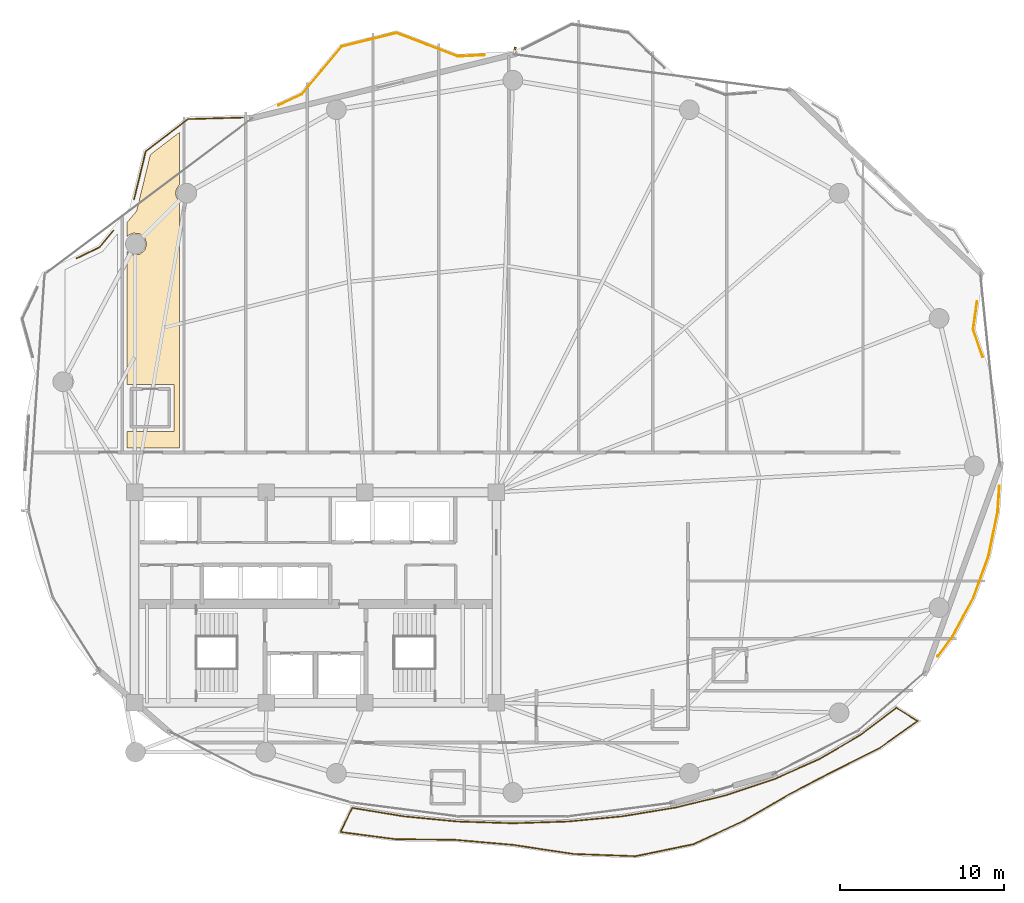
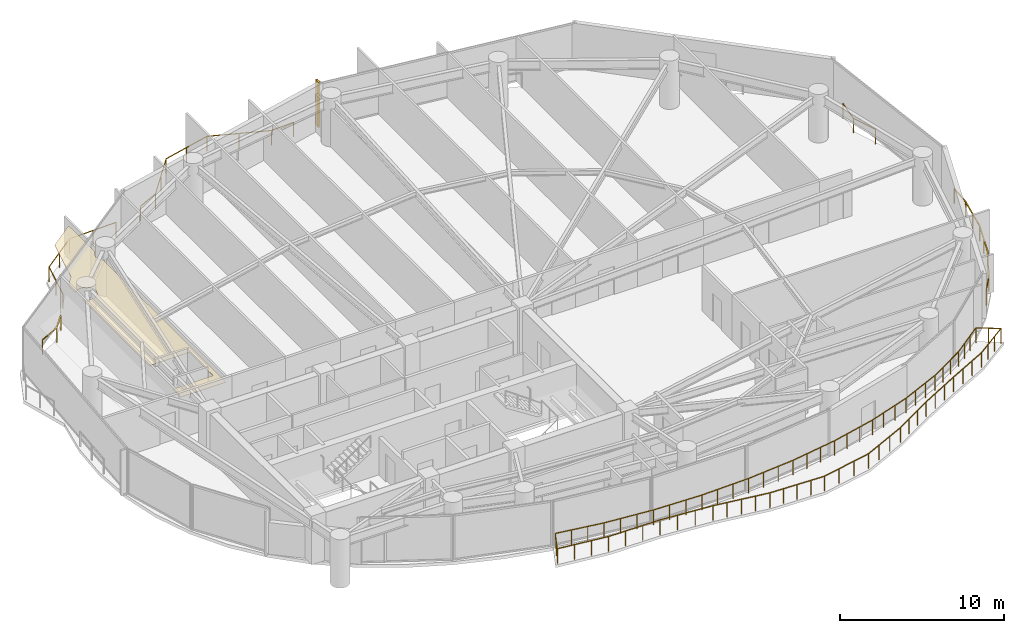
# One storey, part 30 of 31: 6 railings, 1 covering, 1 shading device.
"""IFC4 building model written with IfcOpenShell, lengths in metres."""

from ifc_helpers import new_model, si_unit, direction, frame, origin, origin_2d, place, context, subcontext, project, spatial, polyline, rectangle, outline, extrude, material, layer, layer_set, type_object, element, save


model = new_model("IFC4")

# Units and contexts
model_context = context("Model", 3, precision=1e-05, world=origin(), true_north=direction((0.0, 1.0)))
body_context = subcontext(model_context, "Body", "Model", "MODEL_VIEW")
ifc_project = project(units=[si_unit("LENGTHUNIT", "METRE"), si_unit("AREAUNIT", "SQUARE_METRE"), si_unit("VOLUMEUNIT", "CUBIC_METRE"), si_unit("PLANEANGLEUNIT", "RADIAN"), si_unit("MASSUNIT", "GRAM", prefix="KILO")], contexts=[model_context])

# Site, building, storey
site_placement = place(None, origin())
site = spatial("IfcSite", under=ifc_project, at=site_placement, CompositionType="ELEMENT")
building_placement = place(site_placement, origin())
building = spatial("IfcBuilding", under=site, at=building_placement, Name="Kazevale Care Tower and Concert Hall", CompositionType="ELEMENT")
storey_placement = place(building_placement, frame((0.0, 0.0, 124.199951171875)))
storey = spatial("IfcBuildingStorey", under=building, at=storey_placement, Name="L32", CompositionType="ELEMENT", Elevation=124.199951171875)

# Covering
ifc_material_1 = material(Name="Acoustic Plaster and Hinoki Wood", Category="wood")
ifc_layer = layer(ifc_material_1, 0.0400390625)
ifc_layer_set = layer_set([ifc_layer], Name="Acoustic Plaster and Hinoki Wood")
covering_type = type_object("IfcCoveringType", Name="Acoustic Perforated Wood-Gypsum Ceiling", PredefinedType="CEILING", material=ifc_layer_set)
covering_placement = place(storey_placement, frame((0.0, 0.0, 2.7099609375)))
element("IfcCovering", 1, at=covering_placement, inside=storey, type_object=covering_type, Name="clg:L32:2", PredefinedType="CEILING", context=body_context, shape_type="SweptSolid", body=[
    extrude(outline(polyline([(24.3798828125, 42.955078125), (21.530029296875, 42.955078125), (21.530029296875, 51.056884765625), (21.672119140625, 50.925048828125), (21.9169921875, 50.822998046875), (22.31005859375, 50.862060546875), (22.614990234375, 51.112060546875), (22.72998046875, 51.489990234375), (22.614990234375, 51.867919921875), (22.31005859375, 52.117919921875), (21.9169921875, 52.156982421875), (21.672119140625, 52.054931640625), (21.530029296875, 51.923095703125), (21.530029296875, 52.7919921875), (22.123046875, 53.4990234375), (22.9580078125, 56.930908203125), (24.719970703125, 58.278076171875), (24.719970703125, 55.0859375), (24.5419921875, 54.840087890625), (24.489990234375, 54.580078125), (24.5419921875, 54.320068359375), (24.719970703125, 54.073974609375), (24.719970703125, 39.10498046875), (21.530029296875, 39.10498046875), (21.530029296875, 40.094970703125), (24.3798828125, 40.094970703125), (24.3798828125, 42.955078125)])), origin(), (0.0, 0.0, 1.0), 0.0400390625),
])

# Railings
ifc_material_2 = material(Name="Anodised Bronze Aluminium and Laminated Glass", Category="aluminium")
railing_type = type_object("IfcRailingType", Name="Balcony and Terrace Balustrade 1120", PredefinedType="BALUSTRADE", material=ifc_material_2)
railing_1_placement = place(storey_placement, frame((18.4599609375, 50.62109375, 0.0)))
element("IfcRailing", 2, at=railing_1_placement, inside=storey, type_object=railing_type, Name="rail:L32:perim:3", PredefinedType="BALUSTRADE", context=body_context, shape_type="SweptSolid", body=[
    extrude(rectangle(XDim=0.048095703125, YDim=0.048095703125, at=origin_2d()), frame((0.0, 0.0, 1.09619140625), z_axis=(0.900823701656, 0.434185051026, 0.0), x_axis=(-0.434185051026, 0.900823701656, 0.0)), (0.0, 0.0, 1.0), 1.5498046875),
    extrude(rectangle(XDim=0.048095703125, YDim=0.048095703125, at=origin_2d()), frame((1.39599609375, 0.6728515625, 1.09619140625), z_axis=(0.642605296256, 0.766197385289, 0.0), x_axis=(-0.766197385289, 0.642605296256, 0.0)), (0.0, 0.0, 1.0), 1.327392578125),
    extrude(rectangle(XDim=0.0419921875, YDim=0.0419921875, at=origin_2d()), origin(), (0.0, 0.0, 1.0), 1.072021484375),
    extrude(rectangle(XDim=0.0419921875, YDim=0.0419921875, at=origin_2d()), frame((1.39599609375, 0.6728515625, 0.0)), (0.0, 0.0, 1.0), 1.072021484375),
    extrude(rectangle(XDim=0.0419921875, YDim=0.0419921875, at=origin_2d()), frame((2.2490234375, 1.68994140625, 0.0)), (0.0, 0.0, 1.0), 1.072021484375),
])
railing_2_placement = place(storey_placement, frame((21.966064453125, 54.2060546875, 0.0)))
element("IfcRailing", 3, at=railing_2_placement, inside=storey, type_object=railing_type, Name="rail:L32:perim:4", PredefinedType="BALUSTRADE", context=body_context, shape_type="SweptSolid", body=[
    extrude(rectangle(XDim=0.048095703125, YDim=0.048095703125, at=origin_2d()), frame((0.0, 0.0, 1.09619140625), z_axis=(0.236337022334, 0.971671143893, 0.0), x_axis=(-0.971671143893, 0.236337022334, 0.0)), (0.0, 0.0, 1.0), 2.995849609375),
    extrude(rectangle(XDim=0.048095703125, YDim=0.048095703125, at=origin_2d()), frame((0.7080078125, 2.910888671875, 1.09619140625), z_axis=(0.794524333095, 0.607232314785, 0.0), x_axis=(-0.607232314785, 0.794524333095, 0.0)), (0.0, 0.0, 1.0), 3.245849609375),
    extrude(rectangle(XDim=0.048095703125, YDim=0.048095703125, at=origin_2d()), frame((3.286865234375, 4.8818359375, 1.09619140625), z_axis=(0.999602588936, 0.028189788803, 0.0), x_axis=(-0.028189788803, 0.999602588936, 0.0)), (0.0, 0.0, 1.0), 3.334228515625),
    extrude(rectangle(XDim=0.0419921875, YDim=0.0419921875, at=origin_2d()), origin(), (0.0, 0.0, 1.0), 1.072021484375),
    extrude(rectangle(XDim=0.0419921875, YDim=0.0419921875, at=origin_2d()), frame((0.35400390625, 1.45556640625, 0.0)), (0.0, 0.0, 1.0), 1.072021484375),
    extrude(rectangle(XDim=0.0419921875, YDim=0.0419921875, at=origin_2d()), frame((0.7080078125, 2.910888671875, 0.0)), (0.0, 0.0, 1.0), 1.072021484375),
    extrude(rectangle(XDim=0.0419921875, YDim=0.0419921875, at=origin_2d()), frame((1.99755859375, 3.896484375, 0.0)), (0.0, 0.0, 1.0), 1.072021484375),
    extrude(rectangle(XDim=0.0419921875, YDim=0.0419921875, at=origin_2d()), frame((3.286865234375, 4.8818359375, 0.0)), (0.0, 0.0, 1.0), 1.072021484375),
    extrude(rectangle(XDim=0.0419921875, YDim=0.0419921875, at=origin_2d()), frame((4.953369140625, 4.9287109375, 0.0)), (0.0, 0.0, 1.0), 1.072021484375),
    extrude(rectangle(XDim=0.0419921875, YDim=0.0419921875, at=origin_2d()), frame((6.619873046875, 4.975830078125, 0.0)), (0.0, 0.0, 1.0), 1.072021484375),
])
railing_3_placement = place(storey_placement, frame((30.740966796875, 59.927978515625, 0.0)))
element("IfcRailing", 4, at=railing_3_placement, inside=storey, type_object=railing_type, Name="rail:L32:perim:5", PredefinedType="BALUSTRADE", context=body_context, shape_type="SweptSolid", body=[
    extrude(rectangle(XDim=0.048095703125, YDim=0.048095703125, at=origin_2d()), frame((0.0, 0.0, 1.09619140625), z_axis=(0.905736116012, 0.423842055667, 0.0), x_axis=(-0.423842055667, 0.905736116012, 0.0)), (0.0, 0.0, 1.0), 1.564453125),
    extrude(rectangle(XDim=0.048095703125, YDim=0.048095703125, at=origin_2d()), frame((1.4169921875, 0.6630859375, 1.09619140625), z_axis=(0.641607523243, 0.767033106272, 0.0), x_axis=(-0.767033106272, 0.641607523243, 0.0)), (0.0, 0.0, 1.0), 3.793701171875),
    extrude(rectangle(XDim=0.048095703125, YDim=0.048095703125, at=origin_2d()), frame((3.85107421875, 3.572998046875, 1.09619140625), z_axis=(0.970923670016, 0.239389279214, 0.0), x_axis=(-0.239389279214, 0.970923670016, 0.0)), (0.0, 0.0, 1.0), 3.433837890625),
    extrude(rectangle(XDim=0.048095703125, YDim=0.048095703125, at=origin_2d()), frame((7.18505859375, 4.39501953125, 1.09619140625), z_axis=(0.933831892262, -0.357712170598, 0.0), x_axis=(0.357712170598, 0.933831892262, 0.0)), (0.0, 0.0, 1.0), 3.978271484375),
    extrude(rectangle(XDim=0.048095703125, YDim=0.048095703125, at=origin_2d()), frame((10.900146484375, 2.971923828125, 1.09619140625), z_axis=(0.998862326121, 0.04768703657, 0.0), x_axis=(-0.04768703657, 0.998862326121, 0.0)), (0.0, 0.0, 1.0), 1.617919921875),
    extrude(rectangle(XDim=0.0419921875, YDim=0.0419921875, at=origin_2d()), origin(), (0.0, 0.0, 1.0), 1.072021484375),
    extrude(rectangle(XDim=0.0419921875, YDim=0.0419921875, at=origin_2d()), frame((1.4169921875, 0.6630859375, 0.0)), (0.0, 0.0, 1.0), 1.072021484375),
    extrude(rectangle(XDim=0.0419921875, YDim=0.0419921875, at=origin_2d()), frame((2.634033203125, 2.1181640625, 0.0)), (0.0, 0.0, 1.0), 1.072021484375),
    extrude(rectangle(XDim=0.0419921875, YDim=0.0419921875, at=origin_2d()), frame((3.85107421875, 3.572998046875, 0.0)), (0.0, 0.0, 1.0), 1.072021484375),
    extrude(rectangle(XDim=0.0419921875, YDim=0.0419921875, at=origin_2d()), frame((5.51806640625, 3.98388671875, 0.0)), (0.0, 0.0, 1.0), 1.072021484375),
    extrude(rectangle(XDim=0.0419921875, YDim=0.0419921875, at=origin_2d()), frame((7.18505859375, 4.39501953125, 0.0)), (0.0, 0.0, 1.0), 1.072021484375),
    extrude(rectangle(XDim=0.0419921875, YDim=0.0419921875, at=origin_2d()), frame((9.04248046875, 3.68359375, 0.0)), (0.0, 0.0, 1.0), 1.072021484375),
    extrude(rectangle(XDim=0.0419921875, YDim=0.0419921875, at=origin_2d()), frame((10.900146484375, 2.971923828125, 0.0)), (0.0, 0.0, 1.0), 1.072021484375),
    extrude(rectangle(XDim=0.0419921875, YDim=0.0419921875, at=origin_2d()), frame((12.51611328125, 3.049072265625, 0.0)), (0.0, 0.0, 1.0), 1.072021484375),
])
railing_4_placement = place(storey_placement, frame((74.576904296875, 36.76611328125, 0.0)))
element("IfcRailing", 5, at=railing_4_placement, inside=storey, type_object=railing_type, Name="rail:L32:perim:10", PredefinedType="BALUSTRADE", context=body_context, shape_type="SweptSolid", body=[
    extrude(rectangle(XDim=0.048095703125, YDim=0.048095703125, at=origin_2d()), frame((0.0, 0.0, 1.09619140625), z_axis=(-0.066164353261, -0.997808738365, 0.0), x_axis=(0.997808738365, -0.066164353261, 0.0)), (0.0, 0.0, 1.0), 1.553466796875),
    extrude(rectangle(XDim=0.048095703125, YDim=0.048095703125, at=origin_2d()), frame((-0.102783203125, -1.550048828125, 1.09619140625), z_axis=(-0.202611486218, -0.979259202485, 0.0), x_axis=(0.979259202485, -0.202611486218, 0.0)), (0.0, 0.0, 1.0), 2.744873046875),
    extrude(rectangle(XDim=0.048095703125, YDim=0.048095703125, at=origin_2d()), frame((-0.658935546875, -4.238037109375, 1.09619140625), z_axis=(-0.339653342944, -0.940550693279, 0.0), x_axis=(0.940550693279, -0.339653342944, 0.0)), (0.0, 0.0, 1.0), 2.70263671875),
    extrude(rectangle(XDim=0.048095703125, YDim=0.048095703125, at=origin_2d()), frame((-1.576904296875, -6.780029296875, 1.09619140625), z_axis=(-0.473735648305, -0.880667096879, 0.0), x_axis=(0.880667096879, -0.473735648305, 0.0)), (0.0, 0.0, 1.0), 2.6787109375),
    extrude(rectangle(XDim=0.048095703125, YDim=0.048095703125, at=origin_2d()), frame((-2.845947265625, -9.13916015625, 1.09619140625), z_axis=(-0.597990687273, -0.801503049236, 0.0), x_axis=(0.801503049236, -0.597990687273, 0.0)), (0.0, 0.0, 1.0), 1.498291015625),
    extrude(rectangle(XDim=0.0419921875, YDim=0.0419921875, at=origin_2d()), origin(), (0.0, 0.0, 1.0), 1.072021484375),
    extrude(rectangle(XDim=0.0419921875, YDim=0.0419921875, at=origin_2d()), frame((-0.102783203125, -1.550048828125, 0.0)), (0.0, 0.0, 1.0), 1.072021484375),
    extrude(rectangle(XDim=0.0419921875, YDim=0.0419921875, at=origin_2d()), frame((-0.380859375, -2.89404296875, 0.0)), (0.0, 0.0, 1.0), 1.072021484375),
    extrude(rectangle(XDim=0.0419921875, YDim=0.0419921875, at=origin_2d()), frame((-0.658935546875, -4.238037109375, 0.0)), (0.0, 0.0, 1.0), 1.072021484375),
    extrude(rectangle(XDim=0.0419921875, YDim=0.0419921875, at=origin_2d()), frame((-1.117919921875, -5.509033203125, 0.0)), (0.0, 0.0, 1.0), 1.072021484375),
    extrude(rectangle(XDim=0.0419921875, YDim=0.0419921875, at=origin_2d()), frame((-1.576904296875, -6.780029296875, 0.0)), (0.0, 0.0, 1.0), 1.072021484375),
    extrude(rectangle(XDim=0.0419921875, YDim=0.0419921875, at=origin_2d()), frame((-2.21142578125, -7.95947265625, 0.0)), (0.0, 0.0, 1.0), 1.072021484375),
    extrude(rectangle(XDim=0.0419921875, YDim=0.0419921875, at=origin_2d()), frame((-2.845947265625, -9.13916015625, 0.0)), (0.0, 0.0, 1.0), 1.072021484375),
    extrude(rectangle(XDim=0.0419921875, YDim=0.0419921875, at=origin_2d()), frame((-3.741943359375, -10.340087890625, 0.0)), (0.0, 0.0, 1.0), 1.072021484375),
])
railing_5_placement = place(storey_placement, frame((73.216064453125, 47.98193359375, 0.0)))
element("IfcRailing", 6, at=railing_5_placement, inside=storey, type_object=railing_type, Name="rail:L32:perim:12", PredefinedType="BALUSTRADE", context=body_context, shape_type="SweptSolid", body=[
    extrude(rectangle(XDim=0.048095703125, YDim=0.048095703125, at=origin_2d()), frame((0.0, 0.0, 1.09619140625), z_axis=(-0.137473823068, -0.990505400274, 0.0), x_axis=(0.990505400274, -0.137473823068, 0.0)), (0.0, 0.0, 1.0), 1.68896484375),
    extrude(rectangle(XDim=0.048095703125, YDim=0.048095703125, at=origin_2d()), frame((-0.232177734375, -1.6728515625, 1.09619140625), z_axis=(0.322868909969, -0.946443694562, 0.0), x_axis=(0.946443694562, 0.322868909969, 0.0)), (0.0, 0.0, 1.0), 1.784423828125),
    extrude(rectangle(XDim=0.0419921875, YDim=0.0419921875, at=origin_2d()), origin(), (0.0, 0.0, 1.0), 1.072021484375),
    extrude(rectangle(XDim=0.0419921875, YDim=0.0419921875, at=origin_2d()), frame((-0.232177734375, -1.6728515625, 0.0)), (0.0, 0.0, 1.0), 1.072021484375),
    extrude(rectangle(XDim=0.0419921875, YDim=0.0419921875, at=origin_2d()), frame((0.343994140625, -3.36181640625, 0.0)), (0.0, 0.0, 1.0), 1.072021484375),
])
railing_6_placement = place(storey_placement, frame((35.22509765625, 17.2099609375, 0.0)))
element("IfcRailing", 7, at=railing_6_placement, inside=storey, type_object=railing_type, Name="rail:L32:balcony", PredefinedType="BALUSTRADE", context=body_context, shape_type="SweptSolid", body=[
    extrude(rectangle(XDim=0.048095703125, YDim=0.048095703125, at=origin_2d()), frame((0.0, 0.0, 1.09619140625), z_axis=(0.986720826515, -0.162425399869, 0.0), x_axis=(0.162425399869, 0.986720826515, 0.0)), (0.0, 0.0, 1.0), 3.169921875),
    extrude(rectangle(XDim=0.048095703125, YDim=0.048095703125, at=origin_2d()), frame((3.1279296875, -0.514892578125, 1.09619140625), z_axis=(0.995477928413, -0.09499312629, 0.0), x_axis=(0.09499312629, 0.995477928413, 0.0)), (0.0, 0.0, 1.0), 3.31787109375),
    extrude(rectangle(XDim=0.048095703125, YDim=0.048095703125, at=origin_2d()), frame((6.430908203125, -0.830078125, 1.09619140625), z_axis=(0.999507580629, -0.031378276971, 0.0), x_axis=(0.031378276971, 0.999507580629, 0.0)), (0.0, 0.0, 1.0), 3.345703125),
    extrude(rectangle(XDim=0.048095703125, YDim=0.048095703125, at=origin_2d()), frame((9.77490234375, -0.93505859375, 1.09619140625), z_axis=(0.999507580629, 0.031378276971, 0.0), x_axis=(-0.031378276971, 0.999507580629, 0.0)), (0.0, 0.0, 1.0), 3.345703125),
    extrude(rectangle(XDim=0.048095703125, YDim=0.048095703125, at=origin_2d()), frame((13.118896484375, -0.830078125, 1.09619140625), z_axis=(0.995477928413, 0.09499312629, 0.0), x_axis=(-0.09499312629, 0.995477928413, 0.0)), (0.0, 0.0, 1.0), 3.31787109375),
    extrude(rectangle(XDim=0.048095703125, YDim=0.048095703125, at=origin_2d()), frame((16.421875, -0.514892578125, 1.09619140625), z_axis=(0.986673526711, 0.162712481659, 0.0), x_axis=(-0.162712481659, 0.986673526711, 0.0)), (0.0, 0.0, 1.0), 3.263427734375),
    extrude(rectangle(XDim=0.048095703125, YDim=0.048095703125, at=origin_2d()), frame((19.641845703125, 0.01611328125, 1.09619140625), z_axis=(0.971769261323, 0.235933259095, 0.0), x_axis=(-0.235933259095, 0.971769261323, 0.0)), (0.0, 0.0, 1.0), 3.187255859375),
    extrude(rectangle(XDim=0.048095703125, YDim=0.048095703125, at=origin_2d()), frame((22.739013671875, 0.76806640625, 1.09619140625), z_axis=(0.948264523365, 0.317481328155, 0.0), x_axis=(-0.317481328155, 0.948264523365, 0.0)), (0.0, 0.0, 1.0), 3.095947265625),
    extrude(rectangle(XDim=0.048095703125, YDim=0.048095703125, at=origin_2d()), frame((25.6748046875, 1.7509765625, 1.09619140625), z_axis=(0.913377633239, 0.407113373766, 0.0), x_axis=(-0.407113373766, 0.913377633239, 0.0)), (0.0, 0.0, 1.0), 2.99658203125),
    extrude(rectangle(XDim=0.048095703125, YDim=0.048095703125, at=origin_2d()), frame((28.411865234375, 2.970947265625, 1.09619140625), z_axis=(0.863507127078, 0.504336635082, 0.0), x_axis=(-0.504336635082, 0.863507127078, 0.0)), (0.0, 0.0, 1.0), 2.901123046875),
    extrude(rectangle(XDim=0.048095703125, YDim=0.048095703125, at=origin_2d()), frame((30.9169921875, 4.43408203125, 1.09619140625), z_axis=(0.795030778338, 0.606569090455, 0.0), x_axis=(-0.606569090455, 0.795030778338, 0.0)), (0.0, 0.0, 1.0), 2.726806640625),
    extrude(rectangle(XDim=0.048095703125, YDim=0.048095703125, at=origin_2d()), frame((33.0849609375, 6.088134765625, 1.09619140625), z_axis=(0.848213207605, -0.529654939035, 0.0), x_axis=(0.529654939035, 0.848213207605, 0.0)), (0.0, 0.0, 1.0), 1.53125),
    extrude(rectangle(XDim=0.048095703125, YDim=0.048095703125, at=origin_2d()), frame((34.3837890625, 5.277099609375, 1.09619140625), z_axis=(-0.815795156165, -0.578340957548, 0.0), x_axis=(0.578340957548, -0.815795156165, 0.0)), (0.0, 0.0, 1.0), 2.825439453125),
    extrude(rectangle(XDim=0.048095703125, YDim=0.048095703125, at=origin_2d()), frame((32.078857421875, 3.64306640625, 1.09619140625), z_axis=(-0.894176668832, -0.447714289382, 0.0), x_axis=(0.447714289382, -0.894176668832, 0.0)), (0.0, 0.0, 1.0), 3.1201171875),
    extrude(rectangle(XDim=0.048095703125, YDim=0.048095703125, at=origin_2d()), frame((29.288818359375, 2.24609375, 1.09619140625), z_axis=(-0.885731179391, -0.464198532802, 0.0), x_axis=(0.464198532802, -0.885731179391, 0.0)), (0.0, 0.0, 1.0), 3.095703125),
    extrude(rectangle(XDim=0.048095703125, YDim=0.048095703125, at=origin_2d()), frame((26.546875, 0.80908203125, 1.09619140625), z_axis=(-0.863893385212, -0.503674715453, 0.0), x_axis=(0.503674715453, -0.863893385212, 0.0)), (0.0, 0.0, 1.0), 3.170654296875),
    extrude(rectangle(XDim=0.048095703125, YDim=0.048095703125, at=origin_2d()), frame((23.807861328125, -0.787841796875, 1.09619140625), z_axis=(-0.906966461078, -0.421202847188, 0.0), x_axis=(0.421202847188, -0.906966461078, 0.0)), (0.0, 0.0, 1.0), 3.369384765625),
    extrude(rectangle(XDim=0.048095703125, YDim=0.048095703125, at=origin_2d()), frame((20.751953125, -2.20703125, 1.09619140625), z_axis=(-0.979177656595, -0.203005213786, 0.0), x_axis=(0.203005213786, -0.979177656595, 0.0)), (0.0, 0.0, 1.0), 3.595947265625),
    extrude(rectangle(XDim=0.048095703125, YDim=0.048095703125, at=origin_2d()), frame((17.23095703125, -2.93701171875, 1.09619140625), z_axis=(-0.999357393068, 0.035844119754, 0.0), x_axis=(-0.035844119754, -0.999357393068, 0.0)), (0.0, 0.0, 1.0), 3.7666015625),
    extrude(rectangle(XDim=0.048095703125, YDim=0.048095703125, at=origin_2d()), frame((13.466796875, -2.802001953125, 1.09619140625), z_axis=(-0.988885740424, 0.148677477734, 0.0), x_axis=(-0.148677477734, -0.988885740424, 0.0)), (0.0, 0.0, 1.0), 3.71923828125),
    extrude(rectangle(XDim=0.048095703125, YDim=0.048095703125, at=origin_2d()), frame((9.788818359375, -2.2490234375, 1.09619140625), z_axis=(-0.996241615045, 0.086617806788, 0.0), x_axis=(-0.086617806788, -0.996241615045, 0.0)), (0.0, 0.0, 1.0), 3.568359375),
    extrude(rectangle(XDim=0.048095703125, YDim=0.048095703125, at=origin_2d()), frame((6.23388671875, -1.93994140625, 1.09619140625), z_axis=(-0.99994733924, 0.010262492233, 0.0), x_axis=(-0.010262492233, -0.99994733924, 0.0)), (0.0, 0.0, 1.0), 3.59228515625),
    extrude(rectangle(XDim=0.048095703125, YDim=0.048095703125, at=origin_2d()), frame((2.641845703125, -1.903076171875, 1.09619140625), z_axis=(-0.991591115654, 0.129410429855, 0.0), x_axis=(-0.129410429855, -0.991591115654, 0.0)), (0.0, 0.0, 1.0), 3.369384765625),
    extrude(rectangle(XDim=0.048095703125, YDim=0.048095703125, at=origin_2d()), frame((-0.69921875, -1.467041015625, 1.09619140625), z_axis=(0.430248446577, 0.902710515181, 0.0), x_axis=(-0.902710515181, 0.430248446577, 0.0)), (0.0, 0.0, 1.0), 1.625244140625),
    extrude(rectangle(XDim=0.0419921875, YDim=0.0419921875, at=origin_2d()), origin(), (0.0, 0.0, 1.0), 1.072021484375),
    extrude(rectangle(XDim=0.0419921875, YDim=0.0419921875, at=origin_2d()), frame((1.042724609375, -0.171630859375, 0.0)), (0.0, 0.0, 1.0), 1.072021484375),
    extrude(rectangle(XDim=0.0419921875, YDim=0.0419921875, at=origin_2d()), frame((2.085205078125, -0.34326171875, 0.0)), (0.0, 0.0, 1.0), 1.072021484375),
    extrude(rectangle(XDim=0.0419921875, YDim=0.0419921875, at=origin_2d()), frame((3.1279296875, -0.514892578125, 0.0)), (0.0, 0.0, 1.0), 1.072021484375),
    extrude(rectangle(XDim=0.0419921875, YDim=0.0419921875, at=origin_2d()), frame((4.22900390625, -0.619873046875, 0.0)), (0.0, 0.0, 1.0), 1.072021484375),
    extrude(rectangle(XDim=0.0419921875, YDim=0.0419921875, at=origin_2d()), frame((5.329833984375, -0.72509765625, 0.0)), (0.0, 0.0, 1.0), 1.072021484375),
    extrude(rectangle(XDim=0.0419921875, YDim=0.0419921875, at=origin_2d()), frame((6.430908203125, -0.830078125, 0.0)), (0.0, 0.0, 1.0), 1.072021484375),
    extrude(rectangle(XDim=0.0419921875, YDim=0.0419921875, at=origin_2d()), frame((7.545654296875, -0.864990234375, 0.0)), (0.0, 0.0, 1.0), 1.072021484375),
    extrude(rectangle(XDim=0.0419921875, YDim=0.0419921875, at=origin_2d()), frame((8.66015625, -0.900146484375, 0.0)), (0.0, 0.0, 1.0), 1.072021484375),
    extrude(rectangle(XDim=0.0419921875, YDim=0.0419921875, at=origin_2d()), frame((9.77490234375, -0.93505859375, 0.0)), (0.0, 0.0, 1.0), 1.072021484375),
    extrude(rectangle(XDim=0.0419921875, YDim=0.0419921875, at=origin_2d()), frame((10.8896484375, -0.900146484375, 0.0)), (0.0, 0.0, 1.0), 1.072021484375),
    extrude(rectangle(XDim=0.0419921875, YDim=0.0419921875, at=origin_2d()), frame((12.004150390625, -0.864990234375, 0.0)), (0.0, 0.0, 1.0), 1.072021484375),
    extrude(rectangle(XDim=0.0419921875, YDim=0.0419921875, at=origin_2d()), frame((13.118896484375, -0.830078125, 0.0)), (0.0, 0.0, 1.0), 1.072021484375),
    extrude(rectangle(XDim=0.0419921875, YDim=0.0419921875, at=origin_2d()), frame((14.219970703125, -0.72509765625, 0.0)), (0.0, 0.0, 1.0), 1.072021484375),
    extrude(rectangle(XDim=0.0419921875, YDim=0.0419921875, at=origin_2d()), frame((15.32080078125, -0.619873046875, 0.0)), (0.0, 0.0, 1.0), 1.072021484375),
    extrude(rectangle(XDim=0.0419921875, YDim=0.0419921875, at=origin_2d()), frame((16.421875, -0.514892578125, 0.0)), (0.0, 0.0, 1.0), 1.072021484375),
    extrude(rectangle(XDim=0.0419921875, YDim=0.0419921875, at=origin_2d()), frame((17.4951171875, -0.337890625, 0.0)), (0.0, 0.0, 1.0), 1.072021484375),
    extrude(rectangle(XDim=0.0419921875, YDim=0.0419921875, at=origin_2d()), frame((18.568603515625, -0.160888671875, 0.0)), (0.0, 0.0, 1.0), 1.072021484375),
    extrude(rectangle(XDim=0.0419921875, YDim=0.0419921875, at=origin_2d()), frame((19.641845703125, 0.01611328125, 0.0)), (0.0, 0.0, 1.0), 1.072021484375),
    extrude(rectangle(XDim=0.0419921875, YDim=0.0419921875, at=origin_2d()), frame((20.67431640625, 0.266845703125, 0.0)), (0.0, 0.0, 1.0), 1.072021484375),
    extrude(rectangle(XDim=0.0419921875, YDim=0.0419921875, at=origin_2d()), frame((21.70654296875, 0.517333984375, 0.0)), (0.0, 0.0, 1.0), 1.072021484375),
    extrude(rectangle(XDim=0.0419921875, YDim=0.0419921875, at=origin_2d()), frame((22.739013671875, 0.76806640625, 0.0)), (0.0, 0.0, 1.0), 1.072021484375),
    extrude(rectangle(XDim=0.0419921875, YDim=0.0419921875, at=origin_2d()), frame((23.717529296875, 1.095703125, 0.0)), (0.0, 0.0, 1.0), 1.072021484375),
    extrude(rectangle(XDim=0.0419921875, YDim=0.0419921875, at=origin_2d()), frame((24.6962890625, 1.42333984375, 0.0)), (0.0, 0.0, 1.0), 1.072021484375),
    extrude(rectangle(XDim=0.0419921875, YDim=0.0419921875, at=origin_2d()), frame((25.6748046875, 1.7509765625, 0.0)), (0.0, 0.0, 1.0), 1.072021484375),
    extrude(rectangle(XDim=0.0419921875, YDim=0.0419921875, at=origin_2d()), frame((26.587158203125, 2.15771484375, 0.0)), (0.0, 0.0, 1.0), 1.072021484375),
    extrude(rectangle(XDim=0.0419921875, YDim=0.0419921875, at=origin_2d()), frame((27.49951171875, 2.564208984375, 0.0)), (0.0, 0.0, 1.0), 1.072021484375),
    extrude(rectangle(XDim=0.0419921875, YDim=0.0419921875, at=origin_2d()), frame((28.411865234375, 2.970947265625, 0.0)), (0.0, 0.0, 1.0), 1.072021484375),
    extrude(rectangle(XDim=0.0419921875, YDim=0.0419921875, at=origin_2d()), frame((29.246826171875, 3.458740234375, 0.0)), (0.0, 0.0, 1.0), 1.072021484375),
    extrude(rectangle(XDim=0.0419921875, YDim=0.0419921875, at=origin_2d()), frame((30.08203125, 3.9462890625, 0.0)), (0.0, 0.0, 1.0), 1.072021484375),
    extrude(rectangle(XDim=0.0419921875, YDim=0.0419921875, at=origin_2d()), frame((30.9169921875, 4.43408203125, 0.0)), (0.0, 0.0, 1.0), 1.072021484375),
    extrude(rectangle(XDim=0.0419921875, YDim=0.0419921875, at=origin_2d()), frame((31.6396484375, 4.9853515625, 0.0)), (0.0, 0.0, 1.0), 1.072021484375),
    extrude(rectangle(XDim=0.0419921875, YDim=0.0419921875, at=origin_2d()), frame((32.3623046875, 5.536865234375, 0.0)), (0.0, 0.0, 1.0), 1.072021484375),
    extrude(rectangle(XDim=0.0419921875, YDim=0.0419921875, at=origin_2d()), frame((33.0849609375, 6.088134765625, 0.0)), (0.0, 0.0, 1.0), 1.072021484375),
    extrude(rectangle(XDim=0.0419921875, YDim=0.0419921875, at=origin_2d()), frame((33.734375, 5.6826171875, 0.0)), (0.0, 0.0, 1.0), 1.072021484375),
    extrude(rectangle(XDim=0.0419921875, YDim=0.0419921875, at=origin_2d()), frame((34.3837890625, 5.277099609375, 0.0)), (0.0, 0.0, 1.0), 1.072021484375),
    extrude(rectangle(XDim=0.0419921875, YDim=0.0419921875, at=origin_2d()), frame((33.615478515625, 4.732421875, 0.0)), (0.0, 0.0, 1.0), 1.072021484375),
    extrude(rectangle(XDim=0.0419921875, YDim=0.0419921875, at=origin_2d()), frame((32.84716796875, 4.187744140625, 0.0)), (0.0, 0.0, 1.0), 1.072021484375),
    extrude(rectangle(XDim=0.0419921875, YDim=0.0419921875, at=origin_2d()), frame((32.078857421875, 3.64306640625, 0.0)), (0.0, 0.0, 1.0), 1.072021484375),
    extrude(rectangle(XDim=0.0419921875, YDim=0.0419921875, at=origin_2d()), frame((31.14892578125, 3.177490234375, 0.0)), (0.0, 0.0, 1.0), 1.072021484375),
    extrude(rectangle(XDim=0.0419921875, YDim=0.0419921875, at=origin_2d()), frame((30.21875, 2.711669921875, 0.0)), (0.0, 0.0, 1.0), 1.072021484375),
    extrude(rectangle(XDim=0.0419921875, YDim=0.0419921875, at=origin_2d()), frame((29.288818359375, 2.24609375, 0.0)), (0.0, 0.0, 1.0), 1.072021484375),
    extrude(rectangle(XDim=0.0419921875, YDim=0.0419921875, at=origin_2d()), frame((28.374755859375, 1.76708984375, 0.0)), (0.0, 0.0, 1.0), 1.072021484375),
    extrude(rectangle(XDim=0.0419921875, YDim=0.0419921875, at=origin_2d()), frame((27.4609375, 1.2880859375, 0.0)), (0.0, 0.0, 1.0), 1.072021484375),
    extrude(rectangle(XDim=0.0419921875, YDim=0.0419921875, at=origin_2d()), frame((26.546875, 0.80908203125, 0.0)), (0.0, 0.0, 1.0), 1.072021484375),
    extrude(rectangle(XDim=0.0419921875, YDim=0.0419921875, at=origin_2d()), frame((25.6337890625, 0.27685546875, 0.0)), (0.0, 0.0, 1.0), 1.072021484375),
    extrude(rectangle(XDim=0.0419921875, YDim=0.0419921875, at=origin_2d()), frame((24.720947265625, -0.255615234375, 0.0)), (0.0, 0.0, 1.0), 1.072021484375),
    extrude(rectangle(XDim=0.0419921875, YDim=0.0419921875, at=origin_2d()), frame((23.807861328125, -0.787841796875, 0.0)), (0.0, 0.0, 1.0), 1.072021484375),
    extrude(rectangle(XDim=0.0419921875, YDim=0.0419921875, at=origin_2d()), frame((22.789306640625, -1.260986328125, 0.0)), (0.0, 0.0, 1.0), 1.072021484375),
    extrude(rectangle(XDim=0.0419921875, YDim=0.0419921875, at=origin_2d()), frame((21.7705078125, -1.73388671875, 0.0)), (0.0, 0.0, 1.0), 1.072021484375),
    extrude(rectangle(XDim=0.0419921875, YDim=0.0419921875, at=origin_2d()), frame((20.751953125, -2.20703125, 0.0)), (0.0, 0.0, 1.0), 1.072021484375),
    extrude(rectangle(XDim=0.0419921875, YDim=0.0419921875, at=origin_2d()), frame((19.578369140625, -2.450439453125, 0.0)), (0.0, 0.0, 1.0), 1.072021484375),
    extrude(rectangle(XDim=0.0419921875, YDim=0.0419921875, at=origin_2d()), frame((18.404541015625, -2.693603515625, 0.0)), (0.0, 0.0, 1.0), 1.072021484375),
    extrude(rectangle(XDim=0.0419921875, YDim=0.0419921875, at=origin_2d()), frame((17.23095703125, -2.93701171875, 0.0)), (0.0, 0.0, 1.0), 1.072021484375),
    extrude(rectangle(XDim=0.0419921875, YDim=0.0419921875, at=origin_2d()), frame((16.2900390625, -2.9033203125, 0.0)), (0.0, 0.0, 1.0), 1.072021484375),
    extrude(rectangle(XDim=0.0419921875, YDim=0.0419921875, at=origin_2d()), frame((15.348876953125, -2.86962890625, 0.0)), (0.0, 0.0, 1.0), 1.072021484375),
    extrude(rectangle(XDim=0.0419921875, YDim=0.0419921875, at=origin_2d()), frame((14.40771484375, -2.835693359375, 0.0)), (0.0, 0.0, 1.0), 1.072021484375),
    extrude(rectangle(XDim=0.0419921875, YDim=0.0419921875, at=origin_2d()), frame((13.466796875, -2.802001953125, 0.0)), (0.0, 0.0, 1.0), 1.072021484375),
    extrude(rectangle(XDim=0.0419921875, YDim=0.0419921875, at=origin_2d()), frame((12.54736328125, -2.663818359375, 0.0)), (0.0, 0.0, 1.0), 1.072021484375),
    extrude(rectangle(XDim=0.0419921875, YDim=0.0419921875, at=origin_2d()), frame((11.6279296875, -2.525390625, 0.0)), (0.0, 0.0, 1.0), 1.072021484375),
    extrude(rectangle(XDim=0.0419921875, YDim=0.0419921875, at=origin_2d()), frame((10.708251953125, -2.38720703125, 0.0)), (0.0, 0.0, 1.0), 1.072021484375),
    extrude(rectangle(XDim=0.0419921875, YDim=0.0419921875, at=origin_2d()), frame((9.788818359375, -2.2490234375, 0.0)), (0.0, 0.0, 1.0), 1.072021484375),
    extrude(rectangle(XDim=0.0419921875, YDim=0.0419921875, at=origin_2d()), frame((8.603759765625, -2.14599609375, 0.0)), (0.0, 0.0, 1.0), 1.072021484375),
    extrude(rectangle(XDim=0.0419921875, YDim=0.0419921875, at=origin_2d()), frame((7.4189453125, -2.04296875, 0.0)), (0.0, 0.0, 1.0), 1.072021484375),
    extrude(rectangle(XDim=0.0419921875, YDim=0.0419921875, at=origin_2d()), frame((6.23388671875, -1.93994140625, 0.0)), (0.0, 0.0, 1.0), 1.072021484375),
    extrude(rectangle(XDim=0.0419921875, YDim=0.0419921875, at=origin_2d()), frame((5.03662109375, -1.927734375, 0.0)), (0.0, 0.0, 1.0), 1.072021484375),
    extrude(rectangle(XDim=0.0419921875, YDim=0.0419921875, at=origin_2d()), frame((3.839111328125, -1.915283203125, 0.0)), (0.0, 0.0, 1.0), 1.072021484375),
    extrude(rectangle(XDim=0.0419921875, YDim=0.0419921875, at=origin_2d()), frame((2.641845703125, -1.903076171875, 0.0)), (0.0, 0.0, 1.0), 1.072021484375),
    extrude(rectangle(XDim=0.0419921875, YDim=0.0419921875, at=origin_2d()), frame((1.528076171875, -1.7578125, 0.0)), (0.0, 0.0, 1.0), 1.072021484375),
    extrude(rectangle(XDim=0.0419921875, YDim=0.0419921875, at=origin_2d()), frame((0.41455078125, -1.6123046875, 0.0)), (0.0, 0.0, 1.0), 1.072021484375),
    extrude(rectangle(XDim=0.0419921875, YDim=0.0419921875, at=origin_2d()), frame((-0.69921875, -1.467041015625, 0.0)), (0.0, 0.0, 1.0), 1.072021484375),
    extrude(rectangle(XDim=0.0419921875, YDim=0.0419921875, at=origin_2d()), frame((-0.349609375, -0.7333984375, 0.0)), (0.0, 0.0, 1.0), 1.072021484375),
])

# Shading device
ifc_material_3 = material(Name="Honed Ochre Limestone", Category="masonry")
shading_device_type = type_object("IfcShadingDeviceType", Name="Vertical Honed Limestone Fin FIN-01", PredefinedType="USERDEFINED", material=ifc_material_3)
shading_device_placement = place(storey_placement, frame((45.118408203125, 63.27587890625, 0.0), z_axis=(0.0, 0.0, 1.0), x_axis=(0.130872263805, 0.991399238736, 0.0)))
element("IfcShadingDevice", 8, at=shading_device_placement, inside=storey, type_object=shading_device_type, Name="cw:L32:f16:fin", ObjectType="FIN", PredefinedType="USERDEFINED", context=body_context, shape_type="SweptSolid", body=[
    extrude(rectangle(XDim=0.3798828125, YDim=0.1201171875, at=origin_2d()), origin(), (0.0, 0.0, 1.0), 3.360107421875),
])

save(model, "model.ifc")
